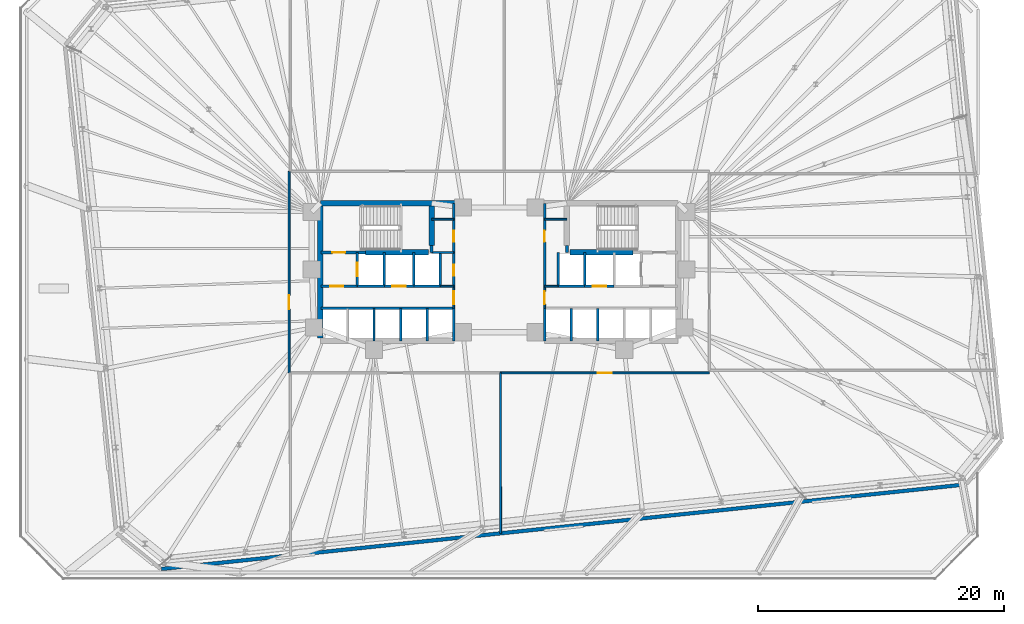
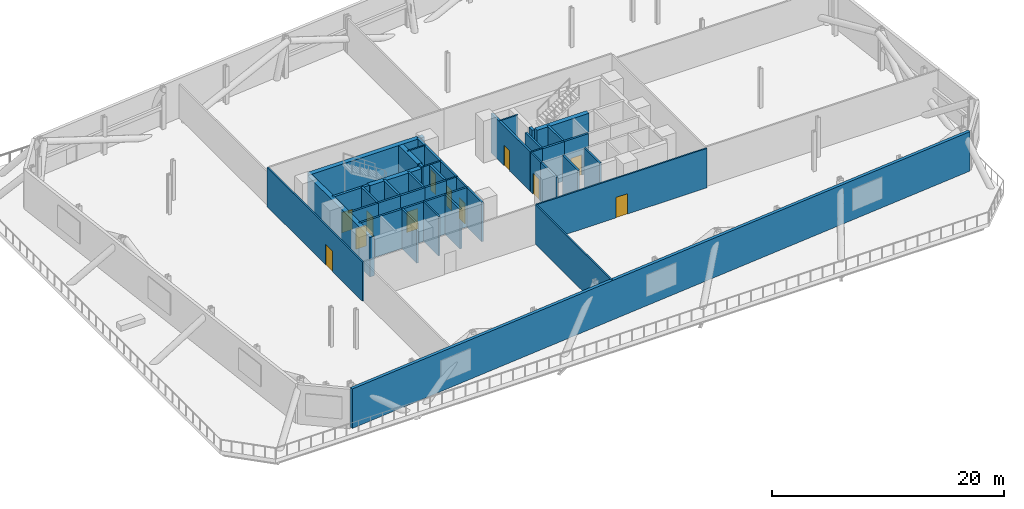
# One storey, part 14 of 17: 41 walls, 12 doors, 12 openings.
"""IFC4 building model written with IfcOpenShell, lengths in metres."""

import ifcopenshell
import ifcopenshell.guid

model = None  # the IFC model being written
_history = None  # IfcOwnerHistory: only IFC2X3 demands one
_inside = {}  # id of a spatial element -> (the spatial element, [elements in it])
_under = {}  # id of a project, library or spatial element -> (it, [spatial elements below it])
_declared = {}  # id of a project -> (the project, [libraries it declares])
_typed = {}  # id of a type object -> (the type object, [elements of that type])
_made_of = {}  # id of a material, layer set ... -> (it, [elements and type objects made of it])


def new_model(schema):
    """Start an empty IFC model of exactly this schema.

    Asked for "IFC4X3", IfcOpenShell would pick the latest addendum, in which some entities
    have other attributes; the version numbers below select the first issue.
    IFC2X3 requires an IfcOwnerHistory on every rooted entity: one is made here for all.
    """
    global model, _history
    if schema == "IFC4X3":
        model = ifcopenshell.file(schema_version=(4, 3, 0, 0))
    else:
        model = ifcopenshell.file(schema=schema)
    _inside.clear()
    _under.clear()
    _declared.clear()
    _typed.clear()
    _made_of.clear()
    _history = None
    if model.schema == "IFC2X3":
        org = make("IfcOrganization", Name="unknown")
        user = make(
            "IfcPersonAndOrganization",
            ThePerson=make("IfcPerson", FamilyName="unknown"),
            TheOrganization=org,
        )
        app = make(
            "IfcApplication",
            ApplicationDeveloper=org,
            Version="unknown",
            ApplicationFullName="unknown",
            ApplicationIdentifier="unknown",
        )
        _history = make(
            "IfcOwnerHistory",
            OwningUser=user,
            OwningApplication=app,
            ChangeAction="ADDED",
            CreationDate=0,
        )
    return model


def make(cls, **values):
    """One entity of the class cls with the attributes given. An attribute that is None is left unset."""
    return model.create_entity(
        cls, **{name: value for name, value in values.items() if value is not None}
    )


def rooted(cls, **values):
    """An entity with a GlobalId (a new one), such as an element, a storey or a relation."""
    return make(cls, GlobalId=ifcopenshell.guid.new(), OwnerHistory=_history, **values)


def si_unit(unit_type, name, prefix=None):
    """IfcSIUnit, for example si_unit("LENGTHUNIT", "METRE", prefix="MILLI")."""
    return make("IfcSIUnit", UnitType=unit_type, Prefix=prefix, Name=name)


def assignment(units):
    """IfcUnitAssignment: the units of a project."""
    return None if units is None else make("IfcUnitAssignment", Units=units)


def point(xyz):
    """IfcCartesianPoint."""
    return None if xyz is None else make("IfcCartesianPoint", Coordinates=xyz)


def direction(xyz):
    """IfcDirection."""
    return None if xyz is None else make("IfcDirection", DirectionRatios=xyz)


def frame(location, z_axis=None, x_axis=None):
    """IfcAxis2Placement3D, a coordinate frame: its origin and axes. An axis left out is left unset."""
    return make(
        "IfcAxis2Placement3D",
        Location=point(location),
        Axis=direction(z_axis),
        RefDirection=direction(x_axis),
    )


def frame_2d(location, x_axis=None):
    """IfcAxis2Placement2D, a coordinate frame in the plane: its origin and x axis."""
    return make(
        "IfcAxis2Placement2D", Location=point(location), RefDirection=direction(x_axis)
    )


def origin():
    """The frame at (0, 0, 0) with its axes left unset."""
    return frame((0.0, 0.0, 0.0))


def place(relative_to, where):
    """IfcLocalPlacement: puts the frame where relative to a parent placement (None: the world)."""
    return make(
        "IfcLocalPlacement", PlacementRelTo=relative_to, RelativePlacement=where
    )


def context(
    kind, dimensions, precision=None, world=None, true_north=None, identifier=None
):
    """IfcGeometricRepresentationContext, for example the 3D "Model" context."""
    return make(
        "IfcGeometricRepresentationContext",
        ContextIdentifier=identifier,
        ContextType=kind,
        CoordinateSpaceDimension=dimensions,
        Precision=precision,
        WorldCoordinateSystem=world,
        TrueNorth=true_north,
    )


def subcontext(parent, identifier, kind, view, scale=None):
    """IfcGeometricRepresentationSubContext, for example "Body" below "Model"."""
    return make(
        "IfcGeometricRepresentationSubContext",
        ContextIdentifier=identifier,
        ContextType=kind,
        ParentContext=parent,
        TargetScale=scale,
        TargetView=view,
    )


def project(units=None, contexts=None):
    """IfcProject with its units and contexts."""
    return rooted(
        "IfcProject",
        Name="project",
        RepresentationContexts=contexts,
        UnitsInContext=assignment(units),
    )


def spatial(cls, under=None, at=None, **own):
    """A site, building, storey or space (cls), placed at a placement, below another one or the project."""
    s = rooted(cls, ObjectPlacement=at, **own)
    if under is not None:
        _under.setdefault(under.id(), (under, []))[1].append(s)
    return s


def profile(cls, at=None, kind="AREA", **sizes):
    """A parametric profile (cls). Its sizes go by their IFC names, for example OverallWidth=200.0."""
    return make(cls, ProfileType=kind, Position=at, **sizes)


def rectangle(**sizes):
    """IfcRectangleProfileDef."""
    return profile("IfcRectangleProfileDef", **sizes)


def extrude(swept, where, along, depth):
    """IfcExtrudedAreaSolid: the profile swept, set in the frame where, extruded along a direction by depth."""
    return make(
        "IfcExtrudedAreaSolid",
        SweptArea=swept,
        Position=where,
        ExtrudedDirection=direction(along),
        Depth=depth,
    )


def shape(context_of_items, identifier, shape_type, items):
    """IfcShapeRepresentation: the items that make up one representation, for example the "Body"."""
    return make(
        "IfcShapeRepresentation",
        ContextOfItems=context_of_items,
        RepresentationIdentifier=identifier,
        RepresentationType=shape_type,
        Items=items,
    )


def material(Name=None, Category=None):
    """IfcMaterial."""
    return make("IfcMaterial", Name=Name, Category=Category)


def layer(
    of_material, thickness, ventilated=None, Name=None, Category=None, Priority=None
):
    """IfcMaterialLayer: one layer of a wall or slab, of a material (None: an air gap)."""
    return make(
        "IfcMaterialLayer",
        Material=of_material,
        LayerThickness=thickness,
        IsVentilated=ventilated,
        Name=Name,
        Category=Category,
        Priority=Priority,
    )


def layer_set(layers, Name=None):
    """IfcMaterialLayerSet."""
    return make("IfcMaterialLayerSet", MaterialLayers=layers, LayerSetName=Name)


def made_of(thing, what):
    """Note that an element or type object is made of a material, layer set ...; save() writes the relation."""
    if what is not None:
        _made_of.setdefault(what.id(), (what, []))[1].append(thing)
    return thing


def type_object(cls, material=None, **own):
    """A type object (cls), such as IfcWallType, which elements share."""
    return made_of(rooted(cls, **own), material)


def element(
    cls,
    number,
    at=None,
    inside=None,
    cuts=None,
    type_object=None,
    material=None,
    context=None,
    identifier="Body",
    shape_type=None,
    held_by="IfcProductDefinitionShape",
    body=None,
    shapes=None,
    **own,
):
    """One element of the class cls, such as IfcWall. Its Tag is "e" and its number.

    at: its placement. inside: the storey or other place that contains it. cuts: it is an
    opening in that element (IfcRelVoidsElement). A single representation is given by context,
    identifier, shape_type and body (its items); several are given by shapes. held_by: the class
    of the entity that holds the representations. save() writes the other relations.
    """
    e = rooted(cls, Tag="e%d" % number, ObjectPlacement=at, **own)
    if body is not None:
        shapes = [shape(context, identifier, shape_type, body)]
    if shapes is not None:
        e.Representation = make(held_by, Representations=shapes)
    if inside is not None:
        _inside.setdefault(inside.id(), (inside, []))[1].append(e)
    if cuts is not None:
        rooted(
            "IfcRelVoidsElement", RelatingBuildingElement=cuts, RelatedOpeningElement=e
        )
    if type_object is not None:
        _typed.setdefault(type_object.id(), (type_object, []))[1].append(e)
    return made_of(e, material)


def fill(opening, filler):
    """IfcRelFillsElement: the door or window that sits in an opening."""
    return rooted(
        "IfcRelFillsElement",
        RelatingOpeningElement=opening,
        RelatedBuildingElement=filler,
    )


def aggregate(whole, parts):
    """IfcRelAggregates: a whole, such as a stair, and the parts it consists of."""
    return rooted("IfcRelAggregates", RelatingObject=whole, RelatedObjects=parts)


def save(model, path):
    """Write the relations noted so far, then the file.

    IfcRelAggregates (storeys below a building ...), IfcRelContainedInSpatialStructure (elements
    in a storey), IfcRelDefinesByType, IfcRelAssociatesMaterial and IfcRelDeclares: one each for
    every whole, place, type object, material and project.
    """
    for whole, parts in _under.values():
        aggregate(whole, parts)
    for where, things in _inside.values():
        rooted(
            "IfcRelContainedInSpatialStructure",
            RelatedElements=things,
            RelatingStructure=where,
        )
    for kind, things in _typed.values():
        rooted("IfcRelDefinesByType", RelatedObjects=things, RelatingType=kind)
    for what, things in _made_of.values():
        rooted("IfcRelAssociatesMaterial", RelatedObjects=things, RelatingMaterial=what)
    for by, libraries in _declared.values():
        rooted("IfcRelDeclares", RelatingContext=by, RelatedDefinitions=libraries)
    model.write(path)


model = new_model("IFC4")

# Units and contexts
model_context = context("Model", 3, precision=1e-05, world=origin(), true_north=direction((0.0, 1.0)))
body_context = subcontext(model_context, "Body", "Model", "MODEL_VIEW")
ifc_project = project(units=[si_unit("LENGTHUNIT", "METRE"), si_unit("AREAUNIT", "SQUARE_METRE"), si_unit("VOLUMEUNIT", "CUBIC_METRE"), si_unit("PLANEANGLEUNIT", "RADIAN"), si_unit("MASSUNIT", "GRAM", prefix="KILO")], contexts=[model_context])

# Site, building, storey
site_placement = place(None, origin())
site = spatial("IfcSite", under=ifc_project, at=site_placement, CompositionType="ELEMENT")
building_placement = place(site_placement, origin())
building = spatial("IfcBuilding", under=site, at=building_placement, Name="Menara Jurai Vektor", CompositionType="ELEMENT")
storey_placement = place(building_placement, frame((0.0, 0.0, 78.800048828125)))
storey = spatial("IfcBuildingStorey", under=building, at=storey_placement, Name="L19", CompositionType="ELEMENT", Elevation=78.800048828125)

# Wall
ifc_material_1 = material(Name="Insulated Pale Aluminium Spandrel Wall", Category="aluminium")
ifc_layer_1 = layer(ifc_material_1, 0.300048828125)
ifc_layer_set_1 = layer_set([ifc_layer_1], Name="Insulated Pale Aluminium Spandrel Wall")
wall_type_1 = type_object("IfcWallType", Name="ENV-WALL-EXT300", PredefinedType="STANDARD", material=ifc_layer_set_1)
wall_1_placement = place(storey_placement, frame((-27.494384765625, -24.162109375, 0.0), z_axis=(0.0, 0.0, 1.0), x_axis=(0.99452206833, 0.104526817631, 0.0)))
element("IfcWall", 1, at=wall_1_placement, inside=storey, type_object=wall_type_1, Name="Plant Floor Enclosure Wall L19-01", PredefinedType="STANDARD", context=body_context, shape_type="SweptSolid", body=[
    extrude(rectangle(XDim=65.81005859375, YDim=0.300048828125, at=frame_2d((32.905029296875, 0.0))), origin(), (0.0, 0.0, 1.0), 4.14990234375),
])

# Wall, opening, door
ifc_material_2 = material(Name="Concrete C40/50", Category="concrete")
ifc_layer_2 = layer(ifc_material_2, 0.25)
ifc_layer_set_2 = layer_set([ifc_layer_2], Name="Concrete C40/50")
wall_type_2 = type_object("IfcWallType", Name="INT-WALL-CORE-250", PredefinedType="STANDARD", material=ifc_layer_set_2)
wall_2_placement = place(storey_placement, frame((-14.5, 1.60009765625, 0.0), z_axis=(0.0, 0.0, 1.0), x_axis=(1.0, 0.0, 0.0)))
wall_2 = element("IfcWall", 2, at=wall_2_placement, inside=storey, type_object=wall_type_2, Name="Interior Wall IW-250 L19", PredefinedType="STANDARD", context=body_context, shape_type="SweptSolid", body=[
    extrude(rectangle(XDim=3.60009765625, YDim=0.25, at=frame_2d((1.800048828125, 0.0))), origin(), (0.0, 0.0, 1.0), 4.14990234375),
])
opening_1_placement = place(wall_2_placement, frame((0.919921875, 0.0, 0.0)))
opening_1 = element("IfcOpeningElement", 3, at=opening_1_placement, cuts=wall_2, Name="Opening D-L19-ST1", PredefinedType="OPENING", context=body_context, shape_type="SweptSolid", body=[
    extrude(rectangle(XDim=1.050048828125, YDim=2.14990234375, at=frame_2d((0.52490234375, 1.074951171875))), frame((0.0, 0.135009765625, 0.0), z_axis=(0.0, -1.0, 0.0), x_axis=(1.0, 0.0, 0.0)), (0.0, 0.0, 1.0), 0.27001953125),
])
ifc_material_3 = material(Name="Fire-Rated Steel Door", Category="steel")
door_type_1 = type_object("IfcDoorType", Name="DR-STAIR-1050", OperationType="NOTDEFINED", PredefinedType="DOOR", material=ifc_material_3)
door_1_placement = place(opening_1_placement, origin())
door_1 = element("IfcDoor", 4, at=door_1_placement, inside=storey, type_object=door_type_1, Name="Exit Stair ST1 Door L19", OperationType="SINGLE_SWING_RIGHT", OverallHeight=2.14990234375, OverallWidth=1.050048828125, PredefinedType="DOOR", context=body_context, shape_type="SweptSolid", body=[
    extrude(rectangle(XDim=1.050048828125, YDim=2.14990234375, at=frame_2d((0.52490234375, 1.074951171875))), frame((0.0, 0.02490234375, 0.0), z_axis=(0.0, -1.0, 0.0), x_axis=(1.0, 0.0, 0.0)), (0.0, 0.0, 1.0), 0.050048828125),
])
fill(opening_1, door_1)

# Wall
wall_3_placement = place(storey_placement, frame((-5.5, 1.60009765625, 0.0), z_axis=(0.0, 0.0, 1.0), x_axis=(0.0, 1.0, 0.0)))
element("IfcWall", 5, at=wall_3_placement, inside=storey, type_object=wall_type_2, Name="Interior Wall IW-250 L19", PredefinedType="STANDARD", context=body_context, shape_type="SweptSolid", body=[
    extrude(rectangle(XDim=0.5498046875, YDim=0.25, at=frame_2d((0.27490234375, 0.0))), origin(), (0.0, 0.0, 1.0), 4.14990234375),
])

# Wall, opening, door
wall_4_placement = place(storey_placement, frame((-11.550048828125, -1.14990234375, 0.0), z_axis=(0.0, 0.0, 1.0), x_axis=(0.0, 1.0, 0.0)))
wall_4 = element("IfcWall", 6, at=wall_4_placement, inside=storey, type_object=wall_type_2, Name="Interior Wall IW-250 L19", PredefinedType="STANDARD", context=body_context, shape_type="SweptSolid", body=[
    extrude(rectangle(XDim=2.75, YDim=0.199951171875, at=frame_2d((1.375, 0.0))), origin(), (0.0, 0.0, 1.0), 4.14990234375),
])
opening_2_placement = place(wall_4_placement, frame((0.824951171875, 0.0, 0.0)))
opening_2 = element("IfcOpeningElement", 7, at=opening_2_placement, cuts=wall_4, Name="Opening LD-L19-FL1", PredefinedType="OPENING", context=body_context, shape_type="SweptSolid", body=[
    extrude(rectangle(XDim=1.10009765625, YDim=2.14990234375, at=frame_2d((0.550048828125, 1.074951171875))), frame((0.0, 0.10986328125, 0.0), z_axis=(0.0, -1.0, 0.0), x_axis=(1.0, 0.0, 0.0)), (0.0, 0.0, 1.0), 0.219970703125),
])
ifc_material_4 = material(Name="Stainless Steel Sliding Lift Landing Door", Category="steel")
door_type_2 = type_object("IfcDoorType", Name="DR-LIFT-FIRE-1100", OperationType="NOTDEFINED", PredefinedType="DOOR", material=ifc_material_4)
door_2_placement = place(opening_2_placement, origin())
door_2 = element("IfcDoor", 8, at=door_2_placement, inside=storey, type_object=door_type_2, Name="Lift Landing Door FL1 L19", OperationType="SLIDING_TO_RIGHT", OverallHeight=2.14990234375, OverallWidth=1.10009765625, PredefinedType="DOOR", context=body_context, shape_type="SweptSolid", body=[
    extrude(rectangle(XDim=1.10009765625, YDim=2.14990234375, at=frame_2d((0.550048828125, 1.074951171875))), frame((0.0, 0.02490234375, 0.0), z_axis=(0.0, -1.0, 0.0), x_axis=(1.0, 0.0, 0.0)), (0.0, 0.0, 1.0), 0.050048828125),
])
fill(opening_2, door_2)

# Wall
wall_5_placement = place(storey_placement, frame((-9.35009765625, -1.14990234375, 0.0), z_axis=(0.0, 0.0, 1.0), x_axis=(0.0, 1.0, 0.0)))
element("IfcWall", 9, at=wall_5_placement, inside=storey, type_object=wall_type_2, Name="Interior Wall IW-250 L19", PredefinedType="STANDARD", context=body_context, shape_type="SweptSolid", body=[
    extrude(rectangle(XDim=2.75, YDim=0.199951171875, at=frame_2d((1.375, 0.0))), origin(), (0.0, 0.0, 1.0), 4.14990234375),
])

# Wall, opening, door
wall_6_placement = place(storey_placement, frame((-14.5, -1.14990234375, 0.0), z_axis=(0.0, 0.0, 1.0), x_axis=(1.0, 0.0, 0.0)))
wall_6 = element("IfcWall", 10, at=wall_6_placement, inside=storey, type_object=wall_type_2, Name="Interior Wall IW-250 L19", PredefinedType="STANDARD", context=body_context, shape_type="SweptSolid", body=[
    extrude(rectangle(XDim=2.949951171875, YDim=0.199951171875, at=frame_2d((1.47509765625, 0.0))), origin(), (0.0, 0.0, 1.0), 4.14990234375),
])
opening_3_placement = place(wall_6_placement, frame((0.75, 0.0, 0.0)))
opening_3 = element("IfcOpeningElement", 11, at=opening_3_placement, cuts=wall_6, Name="Opening D-L19-FFW", PredefinedType="OPENING", context=body_context, shape_type="SweptSolid", body=[
    extrude(rectangle(XDim=1.050048828125, YDim=2.179931640625, at=frame_2d((0.52490234375, 1.08984375))), frame((0.0, 0.10986328125, 0.0), z_axis=(0.0, -1.0, 0.0), x_axis=(1.0, 0.0, 0.0)), (0.0, 0.0, 1.0), 0.219970703125),
])
ifc_material_5 = material(Name="Fire-Rated Timber Door", Category="wood")
door_type_3 = type_object("IfcDoorType", Name="DR-LOBBY-1050", OperationType="NOTDEFINED", PredefinedType="DOOR", material=ifc_material_5)
door_3_placement = place(opening_3_placement, origin())
door_3 = element("IfcDoor", 12, at=door_3_placement, inside=storey, type_object=door_type_3, Name="Fire Lift Lobby Door W L19", OperationType="SINGLE_SWING_RIGHT", OverallHeight=2.179931640625, OverallWidth=1.050048828125, PredefinedType="DOOR", context=body_context, shape_type="SweptSolid", body=[
    extrude(rectangle(XDim=1.050048828125, YDim=2.179931640625, at=frame_2d((0.52490234375, 1.08984375))), frame((0.0, 0.02490234375, 0.0), z_axis=(0.0, -1.0, 0.0), x_axis=(1.0, 0.0, 0.0)), (0.0, 0.0, 1.0), 0.050048828125),
])
fill(opening_3, door_3)

# Walls
wall_7_placement = place(storey_placement, frame((-11.550048828125, -1.14990234375, 0.0), z_axis=(0.0, 0.0, 1.0), x_axis=(1.0, 0.0, 0.0)))
element("IfcWall", 13, at=wall_7_placement, inside=storey, type_object=wall_type_2, Name="Interior Wall IW-250 L19", PredefinedType="STANDARD", context=body_context, shape_type="SweptSolid", body=[
    extrude(rectangle(XDim=2.199951171875, YDim=0.199951171875, at=frame_2d((1.10009765625, 0.0))), origin(), (0.0, 0.0, 1.0), 4.14990234375),
])
wall_8_placement = place(storey_placement, frame((5.5, 1.60009765625, 0.0), z_axis=(0.0, 0.0, 1.0), x_axis=(0.0, 1.0, 0.0)))
element("IfcWall", 14, at=wall_8_placement, inside=storey, type_object=wall_type_2, Name="Interior Wall IW-250 L19", PredefinedType="STANDARD", context=body_context, shape_type="SweptSolid", body=[
    extrude(rectangle(XDim=0.5498046875, YDim=0.25, at=frame_2d((0.27490234375, 0.0))), origin(), (0.0, 0.0, 1.0), 4.14990234375),
])

# Wall, opening, door
ifc_material_6 = material(Name="Gypsum Fireboard Partition", Category="gypsum")
ifc_layer_3 = layer(ifc_material_6, 0.14990234375)
ifc_layer_set_3 = layer_set([ifc_layer_3], Name="Gypsum Fireboard Partition")
wall_type_3 = type_object("IfcWallType", Name="INT-WALL-CORR-150", PredefinedType="PARTITIONING", material=ifc_layer_set_3)
wall_9_placement = place(storey_placement, frame((-3.699951171875, -2.949951171875, 0.0), z_axis=(0.0, 0.0, 1.0), x_axis=(0.0, 1.0, 0.0)))
wall_9 = element("IfcWall", 15, at=wall_9_placement, inside=storey, type_object=wall_type_3, Name="Interior Wall IW-150 L19", PredefinedType="PARTITIONING", context=body_context, shape_type="SweptSolid", body=[
    extrude(rectangle(XDim=1.800048828125, YDim=0.14990234375, at=frame_2d((0.89990234375, 0.0))), origin(), (0.0, 0.0, 1.0), 4.14990234375),
])
opening_4_placement = place(wall_9_placement, frame((0.35009765625, 0.0, 0.0)))
opening_4 = element("IfcOpeningElement", 16, at=opening_4_placement, cuts=wall_9, Name="Opening D-L19-LLW", PredefinedType="OPENING", context=body_context, shape_type="SweptSolid", body=[
    extrude(rectangle(XDim=1.050048828125, YDim=2.179931640625, at=frame_2d((0.52490234375, 1.08984375))), frame((0.0, 0.0849609375, 0.0), z_axis=(0.0, -1.0, 0.0), x_axis=(1.0, 0.0, 0.0)), (0.0, 0.0, 1.0), 0.169921875),
])
door_4_placement = place(opening_4_placement, origin())
door_4 = element("IfcDoor", 17, at=door_4_placement, inside=storey, type_object=door_type_3, Name="Lift Lobby Corridor Door W L19", OperationType="SINGLE_SWING_LEFT", OverallHeight=2.179931640625, OverallWidth=1.050048828125, PredefinedType="DOOR", context=body_context, shape_type="SweptSolid", body=[
    extrude(rectangle(XDim=1.050048828125, YDim=2.179931640625, at=frame_2d((0.52490234375, 1.08984375))), frame((0.0, 0.02490234375, 0.0), z_axis=(0.0, -1.0, 0.0), x_axis=(1.0, 0.0, 0.0)), (0.0, 0.0, 1.0), 0.050048828125),
])
fill(opening_4, door_4)

# Wall
wall_10_placement = place(storey_placement, frame((-4.7900390625, -1.14990234375, 0.0), z_axis=(0.0, 0.0, 1.0), x_axis=(1.0, 0.0, 0.0)))
element("IfcWall", 18, at=wall_10_placement, inside=storey, type_object=wall_type_3, Name="Interior Wall IW-150 L19", PredefinedType="PARTITIONING", context=body_context, shape_type="SweptSolid", body=[
    extrude(rectangle(XDim=1.090087890625, YDim=0.14990234375, at=frame_2d((0.544921875, 0.0))), origin(), (0.0, 0.0, 1.0), 4.14990234375),
])

# Wall, opening, door
wall_11_placement = place(storey_placement, frame((3.699951171875, -2.949951171875, 0.0), z_axis=(0.0, 0.0, 1.0), x_axis=(0.0, 1.0, 0.0)))
wall_11 = element("IfcWall", 19, at=wall_11_placement, inside=storey, type_object=wall_type_3, Name="Interior Wall IW-150 L19", PredefinedType="PARTITIONING", context=body_context, shape_type="SweptSolid", body=[
    extrude(rectangle(XDim=1.800048828125, YDim=0.14990234375, at=frame_2d((0.89990234375, 0.0))), origin(), (0.0, 0.0, 1.0), 4.14990234375),
])
opening_5_placement = place(wall_11_placement, frame((0.35009765625, 0.0, 0.0)))
opening_5 = element("IfcOpeningElement", 20, at=opening_5_placement, cuts=wall_11, Name="Opening D-L19-LLE", PredefinedType="OPENING", context=body_context, shape_type="SweptSolid", body=[
    extrude(rectangle(XDim=1.050048828125, YDim=2.179931640625, at=frame_2d((0.52490234375, 1.08984375))), frame((0.0, 0.0849609375, 0.0), z_axis=(0.0, -1.0, 0.0), x_axis=(1.0, 0.0, 0.0)), (0.0, 0.0, 1.0), 0.169921875),
])
door_5_placement = place(opening_5_placement, frame((1.050048828125, 0.0, 0.0), z_axis=(0.0, 0.0, 1.0), x_axis=(-1.0, 0.0, 0.0)))
door_5 = element("IfcDoor", 21, at=door_5_placement, inside=storey, type_object=door_type_3, Name="Lift Lobby Corridor Door E L19", OperationType="SINGLE_SWING_RIGHT", OverallHeight=2.179931640625, OverallWidth=1.050048828125, PredefinedType="DOOR", context=body_context, shape_type="SweptSolid", body=[
    extrude(rectangle(XDim=1.050048828125, YDim=2.179931640625, at=frame_2d((0.52490234375, 1.08984375))), frame((0.0, 0.02490234375, 0.0), z_axis=(0.0, -1.0, 0.0), x_axis=(1.0, 0.0, 0.0)), (0.0, 0.0, 1.0), 0.050048828125),
])
fill(opening_5, door_5)

# Walls
wall_12_placement = place(storey_placement, frame((3.699951171875, -1.14990234375, 0.0), z_axis=(0.0, 0.0, 1.0), x_axis=(1.0, 0.0, 0.0)))
element("IfcWall", 22, at=wall_12_placement, inside=storey, type_object=wall_type_3, Name="Interior Wall IW-150 L19", PredefinedType="PARTITIONING", context=body_context, shape_type="SweptSolid", body=[
    extrude(rectangle(XDim=1.090087890625, YDim=0.14990234375, at=frame_2d((0.544921875, 0.0))), origin(), (0.0, 0.0, 1.0), 4.14990234375),
])
for number, where, z_axis, x_axis, name in (
    (23, (-5.5, 4.300048828125, 0.0), (0.0, 0.0, 1.0), (1.0, 0.0, 0.0), "Interior Wall IW-150 L19"),
    (24, (-5.5, 1.60009765625, 0.0), (0.0, 0.0, 1.0), (1.0, 0.0, 0.0), "Interior Wall IW-150 L19"),
    (25, (3.699951171875, 4.300048828125, 0.0), (0.0, 0.0, 1.0), (1.0, 0.0, 0.0), "Interior Wall IW-150 L19"),
):
    element("IfcWall", number, at=place(storey_placement, frame(where, z_axis=z_axis, x_axis=x_axis)), inside=storey, type_object=wall_type_3, Name=name, PredefinedType="PARTITIONING", context=body_context, shape_type="SweptSolid", body=[
        extrude(rectangle(XDim=1.800048828125, YDim=0.14990234375, at=frame_2d((0.89990234375, 0.0))), origin(), (0.0, 0.0, 1.0), 4.14990234375),
    ])

# Wall, opening, door
wall_13_placement = place(storey_placement, frame((0.10009765625, -8.199951171875, 0.0), z_axis=(0.0, 0.0, 1.0), x_axis=(1.0, 0.0, 0.0)))
wall_13 = element("IfcWall", 26, at=wall_13_placement, inside=storey, type_object=wall_type_3, Name="Interior Wall IW-150 L19", PredefinedType="PARTITIONING", context=body_context, shape_type="SweptSolid", body=[
    extrude(rectangle(XDim=17.0, YDim=0.14990234375, at=frame_2d((8.5, 0.0))), origin(), (0.0, 0.0, 1.0), 4.14990234375),
])
opening_6_placement = place(wall_13_placement, frame((7.925048828125, 0.0, 0.0)))
opening_6 = element("IfcOpeningElement", 27, at=opening_6_placement, cuts=wall_13, Name="Opening D19-07", PredefinedType="OPENING", context=body_context, shape_type="SweptSolid", body=[
    extrude(rectangle(XDim=1.14990234375, YDim=2.14990234375, at=frame_2d((0.574951171875, 1.074951171875))), frame((0.0, 0.0849609375, 0.0), z_axis=(0.0, -1.0, 0.0), x_axis=(1.0, 0.0, 0.0)), (0.0, 0.0, 1.0), 0.169921875),
])
ifc_material_7 = material(Name="Fire-Rated Steel Plant Door", Category="steel")
door_type_4 = type_object("IfcDoorType", Name="DR-PLANT-1150", OperationType="NOTDEFINED", PredefinedType="DOOR", material=ifc_material_7)
door_6_placement = place(opening_6_placement, origin())
door_6 = element("IfcDoor", 28, at=door_6_placement, inside=storey, type_object=door_type_4, Name="Interior Door D19-07", OperationType="SINGLE_SWING_RIGHT", OverallHeight=2.14990234375, OverallWidth=1.14990234375, PredefinedType="DOOR", context=body_context, shape_type="SweptSolid", body=[
    extrude(rectangle(XDim=1.14990234375, YDim=2.14990234375, at=frame_2d((0.574951171875, 1.074951171875))), frame((0.0, 0.02490234375, 0.0), z_axis=(0.0, -1.0, 0.0), x_axis=(1.0, 0.0, 0.0)), (0.0, 0.0, 1.0), 0.050048828125),
])
fill(opening_6, door_6)

wall_14_placement = place(storey_placement, frame((-17.10009765625, -8.199951171875, 0.0), z_axis=(0.0, 0.0, 1.0), x_axis=(0.0, 1.0, 0.0)))
wall_14 = element("IfcWall", 29, at=wall_14_placement, inside=storey, type_object=wall_type_3, Name="Interior Wall IW-150 L19", PredefinedType="PARTITIONING", context=body_context, shape_type="SweptSolid", body=[
    extrude(rectangle(XDim=16.39990234375, YDim=0.14990234375, at=frame_2d((8.199951171875, 0.0))), origin(), (0.0, 0.0, 1.0), 4.14990234375),
])
opening_7_placement = place(wall_14_placement, frame((5.1650390625, 0.0, 0.0)))
opening_7 = element("IfcOpeningElement", 30, at=opening_7_placement, cuts=wall_14, Name="Opening D19-08", PredefinedType="OPENING", context=body_context, shape_type="SweptSolid", body=[
    extrude(rectangle(XDim=1.14990234375, YDim=2.14990234375, at=frame_2d((0.574951171875, 1.074951171875))), frame((0.0, 0.0849609375, 0.0), z_axis=(0.0, -1.0, 0.0), x_axis=(1.0, 0.0, 0.0)), (0.0, 0.0, 1.0), 0.169921875),
])
door_7_placement = place(opening_7_placement, origin())
door_7 = element("IfcDoor", 31, at=door_7_placement, inside=storey, type_object=door_type_4, Name="Interior Door D19-08", OperationType="SINGLE_SWING_LEFT", OverallHeight=2.14990234375, OverallWidth=1.14990234375, PredefinedType="DOOR", context=body_context, shape_type="SweptSolid", body=[
    extrude(rectangle(XDim=1.14990234375, YDim=2.14990234375, at=frame_2d((0.574951171875, 1.074951171875))), frame((0.0, 0.02490234375, 0.0), z_axis=(0.0, -1.0, 0.0), x_axis=(1.0, 0.0, 0.0)), (0.0, 0.0, 1.0), 0.050048828125),
])
fill(opening_7, door_7)

# Wall
wall_15_placement = place(storey_placement, frame((0.11572265625, -21.26025390625, 0.0), z_axis=(0.0, 0.0, 1.0), x_axis=(-0.001196372637, 0.999999284346, 0.0)))
element("IfcWall", 32, at=wall_15_placement, inside=storey, type_object=wall_type_3, Name="Interior Wall IW-150 L19", PredefinedType="PARTITIONING", context=body_context, shape_type="SweptSolid", body=[
    extrude(rectangle(XDim=13.060302734375, YDim=0.14990234375, at=frame_2d((6.5302734375, 0.0))), origin(), (0.0, 0.0, 1.0), 4.14990234375),
])

# Wall, openings, doors
ifc_layer_4 = layer(ifc_material_2, 0.199951171875)
ifc_layer_set_4 = layer_set([ifc_layer_4], Name="Concrete C40/50")
wall_type_4 = type_object("IfcWallType", Name="INT-WALL-SHAFT-200", PredefinedType="STANDARD", material=ifc_layer_set_4)
wall_16_placement = place(storey_placement, frame((-3.699951171875, -1.14990234375, 0.0), z_axis=(0.0, 0.0, 1.0), x_axis=(0.0, 1.0, 0.0)))
wall_16 = element("IfcWall", 33, at=wall_16_placement, inside=storey, type_object=wall_type_4, Name="Interior Wall IW-200 L19", PredefinedType="STANDARD", context=body_context, shape_type="SweptSolid", body=[
    extrude(rectangle(XDim=6.75, YDim=0.199951171875, at=frame_2d((3.375, 0.0))), origin(), (0.0, 0.0, 1.0), 4.14990234375),
])
opening_8_placement = place(wall_16_placement, frame((3.60009765625, 0.0, 0.0)))
opening_8 = element("IfcOpeningElement", 34, at=opening_8_placement, cuts=wall_16, Name="Opening D19-01", PredefinedType="OPENING", context=body_context, shape_type="SweptSolid", body=[
    extrude(rectangle(XDim=0.919921875, YDim=2.14990234375, at=frame_2d((0.4599609375, 1.074951171875))), frame((0.0, 0.10986328125, 0.0), z_axis=(0.0, -1.0, 0.0), x_axis=(1.0, 0.0, 0.0)), (0.0, 0.0, 1.0), 0.219970703125),
])
opening_9_placement = place(wall_16_placement, frame((0.85009765625, 0.0, 0.0)))
opening_9 = element("IfcOpeningElement", 35, at=opening_9_placement, cuts=wall_16, Name="Opening D19-02", PredefinedType="OPENING", context=body_context, shape_type="SweptSolid", body=[
    extrude(rectangle(XDim=0.89990234375, YDim=2.14990234375, at=frame_2d((0.449951171875, 1.074951171875))), frame((0.0, 0.10986328125, 0.0), z_axis=(0.0, -1.0, 0.0), x_axis=(1.0, 0.0, 0.0)), (0.0, 0.0, 1.0), 0.219970703125),
])
ifc_material_8 = material(Name="Solid Core Timber Fire Door", Category="wood")
door_type_5 = type_object("IfcDoorType", Name="DR-ENTRY-950", OperationType="NOTDEFINED", PredefinedType="DOOR", material=ifc_material_8)
door_8_placement = place(opening_8_placement, origin())
door_8 = element("IfcDoor", 36, at=door_8_placement, inside=storey, type_object=door_type_5, Name="Interior Door D19-01", OperationType="SINGLE_SWING_LEFT", OverallHeight=2.14990234375, OverallWidth=0.919921875, PredefinedType="DOOR", context=body_context, shape_type="SweptSolid", body=[
    extrude(rectangle(XDim=0.919921875, YDim=2.14990234375, at=frame_2d((0.4599609375, 1.074951171875))), frame((0.0, 0.02490234375, 0.0), z_axis=(0.0, -1.0, 0.0), x_axis=(1.0, 0.0, 0.0)), (0.0, 0.0, 1.0), 0.050048828125),
])
fill(opening_8, door_8)
door_9_placement = place(opening_9_placement, origin())
door_9 = element("IfcDoor", 37, at=door_9_placement, inside=storey, type_object=door_type_5, Name="Interior Door D19-02", OperationType="SINGLE_SWING_LEFT", OverallHeight=2.14990234375, OverallWidth=0.89990234375, PredefinedType="DOOR", context=body_context, shape_type="SweptSolid", body=[
    extrude(rectangle(XDim=0.89990234375, YDim=2.14990234375, at=frame_2d((0.449951171875, 1.074951171875))), frame((0.0, 0.02490234375, 0.0), z_axis=(0.0, -1.0, 0.0), x_axis=(1.0, 0.0, 0.0)), (0.0, 0.0, 1.0), 0.050048828125),
])
fill(opening_9, door_9)

# Walls
wall_17_placement = place(storey_placement, frame((-3.699951171875, -5.60009765625, 0.0), z_axis=(0.0, 0.0, 1.0), x_axis=(0.0, 1.0, 0.0)))
element("IfcWall", 38, at=wall_17_placement, inside=storey, type_object=wall_type_4, Name="Interior Wall IW-200 L19", PredefinedType="STANDARD", context=body_context, shape_type="SweptSolid", body=[
    extrude(rectangle(XDim=2.650146484375, YDim=0.199951171875, at=frame_2d((1.3251953125, 0.0))), origin(), (0.0, 0.0, 1.0), 4.14990234375),
])
wall_18_placement = place(storey_placement, frame((-6.949951171875, -1.14990234375, 0.0), z_axis=(0.0, 0.0, 1.0), x_axis=(0.0, 1.0, 0.0)))
element("IfcWall", 39, at=wall_18_placement, inside=storey, type_object=wall_type_4, Name="Interior Wall IW-200 L19", PredefinedType="STANDARD", context=body_context, shape_type="SweptSolid", body=[
    extrude(rectangle(XDim=2.75, YDim=0.199951171875, at=frame_2d((1.375, 0.0))), origin(), (0.0, 0.0, 1.0), 4.14990234375),
])

# Wall, opening, door
wall_19_placement = place(storey_placement, frame((-9.35009765625, -1.14990234375, 0.0), z_axis=(0.0, 0.0, 1.0), x_axis=(1.0, 0.0, 0.0)))
wall_19 = element("IfcWall", 40, at=wall_19_placement, inside=storey, type_object=wall_type_4, Name="Interior Wall IW-200 L19", PredefinedType="STANDARD", context=body_context, shape_type="SweptSolid", body=[
    extrude(rectangle(XDim=2.400146484375, YDim=0.199951171875, at=frame_2d((1.2001953125, 0.0))), origin(), (0.0, 0.0, 1.0), 4.14990234375),
])
opening_10_placement = place(wall_19_placement, frame((0.64990234375, 0.0, 0.0)))
opening_10 = element("IfcOpeningElement", 41, at=opening_10_placement, cuts=wall_19, Name="Opening LD-L19-SVL1", PredefinedType="OPENING", context=body_context, shape_type="SweptSolid", body=[
    extrude(rectangle(XDim=1.10009765625, YDim=2.14990234375, at=frame_2d((0.550048828125, 1.074951171875))), frame((0.0, 0.10986328125, 0.0), z_axis=(0.0, -1.0, 0.0), x_axis=(1.0, 0.0, 0.0)), (0.0, 0.0, 1.0), 0.219970703125),
])
ifc_material_9 = material(Name="Anodised Stainless Sliding Lift Landing Door", Category="steel")
door_type_6 = type_object("IfcDoorType", Name="DR-LIFT-PASS-1100", OperationType="NOTDEFINED", PredefinedType="DOOR", material=ifc_material_9)
door_10_placement = place(opening_10_placement, origin())
door_10 = element("IfcDoor", 42, at=door_10_placement, inside=storey, type_object=door_type_6, Name="Lift Landing Door SVL1 L19", OperationType="SLIDING_TO_RIGHT", OverallHeight=2.14990234375, OverallWidth=1.10009765625, PredefinedType="DOOR", context=body_context, shape_type="SweptSolid", body=[
    extrude(rectangle(XDim=1.10009765625, YDim=2.14990234375, at=frame_2d((0.550048828125, 1.074951171875))), frame((0.0, 0.02490234375, 0.0), z_axis=(0.0, -1.0, 0.0), x_axis=(1.0, 0.0, 0.0)), (0.0, 0.0, 1.0), 0.050048828125),
])
fill(opening_10, door_10)

# Walls
wall_20_placement = place(storey_placement, frame((-4.7900390625, -1.14990234375, 0.0), z_axis=(0.0, 0.0, 1.0), x_axis=(0.0, 1.0, 0.0)))
element("IfcWall", 43, at=wall_20_placement, inside=storey, type_object=wall_type_4, Name="Interior Wall IW-200 L19", PredefinedType="STANDARD", context=body_context, shape_type="SweptSolid", body=[
    extrude(rectangle(XDim=2.75, YDim=0.199951171875, at=frame_2d((1.375, 0.0))), origin(), (0.0, 0.0, 1.0), 4.14990234375),
])
wall_21_placement = place(storey_placement, frame((-6.949951171875, -1.14990234375, 0.0), z_axis=(0.0, 0.0, 1.0), x_axis=(1.0, 0.0, 0.0)))
element("IfcWall", 44, at=wall_21_placement, inside=storey, type_object=wall_type_4, Name="Interior Wall IW-200 L19", PredefinedType="STANDARD", context=body_context, shape_type="SweptSolid", body=[
    extrude(rectangle(XDim=2.159912109375, YDim=0.199951171875, at=frame_2d((1.080078125, 0.0))), origin(), (0.0, 0.0, 1.0), 4.14990234375),
])
wall_22_placement = place(storey_placement, frame((-14.5, -2.949951171875, 0.0), z_axis=(0.0, 0.0, 1.0), x_axis=(1.0, 0.0, 0.0)))
element("IfcWall", 45, at=wall_22_placement, inside=storey, type_object=wall_type_4, Name="Interior Wall IW-200 L19", PredefinedType="STANDARD", context=body_context, shape_type="SweptSolid", body=[
    extrude(rectangle(XDim=10.800048828125, YDim=0.199951171875, at=frame_2d((5.39990234375, 0.0))), origin(), (0.0, 0.0, 1.0), 4.14990234375),
])
wall_23_placement = place(storey_placement, frame((-5.860107421875, -5.60009765625, 0.0), z_axis=(0.0, 0.0, 1.0), x_axis=(0.0, 1.0, 0.0)))
element("IfcWall", 46, at=wall_23_placement, inside=storey, type_object=wall_type_4, Name="Interior Wall IW-200 L19", PredefinedType="STANDARD", context=body_context, shape_type="SweptSolid", body=[
    extrude(rectangle(XDim=2.650146484375, YDim=0.199951171875, at=frame_2d((1.3251953125, 0.0))), origin(), (0.0, 0.0, 1.0), 4.14990234375),
])
for number, where, z_axis, x_axis, name in (
    (47, (-10.179931640625, -5.60009765625, 0.0), (0.0, 0.0, 1.0), (0.0, 1.0, 0.0), "Interior Wall IW-200 L19"),
    (48, (-8.02001953125, -5.60009765625, 0.0), (0.0, 0.0, 1.0), (0.0, 1.0, 0.0), "Interior Wall IW-200 L19"),
):
    element("IfcWall", number, at=place(storey_placement, frame(where, z_axis=z_axis, x_axis=x_axis)), inside=storey, type_object=wall_type_4, Name=name, PredefinedType="STANDARD", context=body_context, shape_type="SweptSolid", body=[
        extrude(rectangle(XDim=2.650146484375, YDim=0.179931640625, at=frame_2d((1.3251953125, 0.0))), origin(), (0.0, 0.0, 1.0), 4.14990234375),
    ])

# Wall, opening, door
wall_24_placement = place(storey_placement, frame((3.699951171875, -1.14990234375, 0.0), z_axis=(0.0, 0.0, 1.0), x_axis=(0.0, 1.0, 0.0)))
wall_24 = element("IfcWall", 49, at=wall_24_placement, inside=storey, type_object=wall_type_4, Name="Interior Wall IW-200 L19", PredefinedType="STANDARD", context=body_context, shape_type="SweptSolid", body=[
    extrude(rectangle(XDim=6.75, YDim=0.199951171875, at=frame_2d((3.375, 0.0))), origin(), (0.0, 0.0, 1.0), 4.14990234375),
])
opening_11_placement = place(wall_24_placement, frame((3.60009765625, 0.0, 0.0)))
opening_11 = element("IfcOpeningElement", 50, at=opening_11_placement, cuts=wall_24, Name="Opening D19-03", PredefinedType="OPENING", context=body_context, shape_type="SweptSolid", body=[
    extrude(rectangle(XDim=0.919921875, YDim=2.14990234375, at=frame_2d((0.4599609375, 1.074951171875))), frame((0.0, 0.10986328125, 0.0), z_axis=(0.0, -1.0, 0.0), x_axis=(1.0, 0.0, 0.0)), (0.0, 0.0, 1.0), 0.219970703125),
])
door_11_placement = place(opening_11_placement, origin())
door_11 = element("IfcDoor", 51, at=door_11_placement, inside=storey, type_object=door_type_5, Name="Interior Door D19-03", OperationType="SINGLE_SWING_RIGHT", OverallHeight=2.14990234375, OverallWidth=0.919921875, PredefinedType="DOOR", context=body_context, shape_type="SweptSolid", body=[
    extrude(rectangle(XDim=0.919921875, YDim=2.14990234375, at=frame_2d((0.4599609375, 1.074951171875))), frame((0.0, 0.02490234375, 0.0), z_axis=(0.0, -1.0, 0.0), x_axis=(1.0, 0.0, 0.0)), (0.0, 0.0, 1.0), 0.050048828125),
])
fill(opening_11, door_11)

# Walls
wall_25_placement = place(storey_placement, frame((3.699951171875, -5.60009765625, 0.0), z_axis=(0.0, 0.0, 1.0), x_axis=(0.0, 1.0, 0.0)))
element("IfcWall", 52, at=wall_25_placement, inside=storey, type_object=wall_type_4, Name="Interior Wall IW-200 L19", PredefinedType="STANDARD", context=body_context, shape_type="SweptSolid", body=[
    extrude(rectangle(XDim=2.650146484375, YDim=0.199951171875, at=frame_2d((1.3251953125, 0.0))), origin(), (0.0, 0.0, 1.0), 4.14990234375),
])
wall_26_placement = place(storey_placement, frame((6.949951171875, -1.14990234375, 0.0), z_axis=(0.0, 0.0, 1.0), x_axis=(0.0, 1.0, 0.0)))
element("IfcWall", 53, at=wall_26_placement, inside=storey, type_object=wall_type_4, Name="Interior Wall IW-200 L19", PredefinedType="STANDARD", context=body_context, shape_type="SweptSolid", body=[
    extrude(rectangle(XDim=2.75, YDim=0.199951171875, at=frame_2d((1.375, 0.0))), origin(), (0.0, 0.0, 1.0), 4.14990234375),
])

# Wall, opening, door
wall_27_placement = place(storey_placement, frame((6.949951171875, -1.14990234375, 0.0), z_axis=(0.0, 0.0, 1.0), x_axis=(1.0, 0.0, 0.0)))
wall_27 = element("IfcWall", 54, at=wall_27_placement, inside=storey, type_object=wall_type_4, Name="Interior Wall IW-200 L19", PredefinedType="STANDARD", context=body_context, shape_type="SweptSolid", body=[
    extrude(rectangle(XDim=2.400146484375, YDim=0.199951171875, at=frame_2d((1.2001953125, 0.0))), origin(), (0.0, 0.0, 1.0), 4.14990234375),
])
opening_12_placement = place(wall_27_placement, frame((0.64990234375, 0.0, 0.0)))
opening_12 = element("IfcOpeningElement", 55, at=opening_12_placement, cuts=wall_27, Name="Opening LD-L19-SVL2", PredefinedType="OPENING", context=body_context, shape_type="SweptSolid", body=[
    extrude(rectangle(XDim=1.10009765625, YDim=2.14990234375, at=frame_2d((0.550048828125, 1.074951171875))), frame((0.0, 0.10986328125, 0.0), z_axis=(0.0, -1.0, 0.0), x_axis=(1.0, 0.0, 0.0)), (0.0, 0.0, 1.0), 0.219970703125),
])
door_12_placement = place(opening_12_placement, origin())
door_12 = element("IfcDoor", 56, at=door_12_placement, inside=storey, type_object=door_type_6, Name="Lift Landing Door SVL2 L19", OperationType="SLIDING_TO_RIGHT", OverallHeight=2.14990234375, OverallWidth=1.10009765625, PredefinedType="DOOR", context=body_context, shape_type="SweptSolid", body=[
    extrude(rectangle(XDim=1.10009765625, YDim=2.14990234375, at=frame_2d((0.550048828125, 1.074951171875))), frame((0.0, 0.02490234375, 0.0), z_axis=(0.0, -1.0, 0.0), x_axis=(1.0, 0.0, 0.0)), (0.0, 0.0, 1.0), 0.050048828125),
])
fill(opening_12, door_12)

# Walls
wall_28_placement = place(storey_placement, frame((4.7900390625, -1.14990234375, 0.0), z_axis=(0.0, 0.0, 1.0), x_axis=(0.0, 1.0, 0.0)))
element("IfcWall", 57, at=wall_28_placement, inside=storey, type_object=wall_type_4, Name="Interior Wall IW-200 L19", PredefinedType="STANDARD", context=body_context, shape_type="SweptSolid", body=[
    extrude(rectangle(XDim=2.75, YDim=0.199951171875, at=frame_2d((1.375, 0.0))), origin(), (0.0, 0.0, 1.0), 4.14990234375),
])
wall_29_placement = place(storey_placement, frame((4.7900390625, -1.14990234375, 0.0), z_axis=(0.0, 0.0, 1.0), x_axis=(1.0, 0.0, 0.0)))
element("IfcWall", 58, at=wall_29_placement, inside=storey, type_object=wall_type_4, Name="Interior Wall IW-200 L19", PredefinedType="STANDARD", context=body_context, shape_type="SweptSolid", body=[
    extrude(rectangle(XDim=2.159912109375, YDim=0.199951171875, at=frame_2d((1.080078125, 0.0))), origin(), (0.0, 0.0, 1.0), 4.14990234375),
])
wall_30_placement = place(storey_placement, frame((5.860107421875, -5.60009765625, 0.0), z_axis=(0.0, 0.0, 1.0), x_axis=(0.0, 1.0, 0.0)))
element("IfcWall", 59, at=wall_30_placement, inside=storey, type_object=wall_type_4, Name="Interior Wall IW-200 L19", PredefinedType="STANDARD", context=body_context, shape_type="SweptSolid", body=[
    extrude(rectangle(XDim=2.650146484375, YDim=0.199951171875, at=frame_2d((1.3251953125, 0.0))), origin(), (0.0, 0.0, 1.0), 4.14990234375),
])
wall_31_placement = place(storey_placement, frame((8.02001953125, -5.60009765625, 0.0), z_axis=(0.0, 0.0, 1.0), x_axis=(0.0, 1.0, 0.0)))
element("IfcWall", 60, at=wall_31_placement, inside=storey, type_object=wall_type_4, Name="Interior Wall IW-200 L19", PredefinedType="STANDARD", context=body_context, shape_type="SweptSolid", body=[
    extrude(rectangle(XDim=2.650146484375, YDim=0.179931640625, at=frame_2d((1.3251953125, 0.0))), origin(), (0.0, 0.0, 1.0), 4.14990234375),
])
ifc_material_10 = material(Name="Concrete C60/75", Category="concrete")
ifc_layer_5 = layer(ifc_material_10, 0.449951171875)
ifc_layer_set_5 = layer_set([ifc_layer_5], Name="Concrete C60/75")
wall_type_5 = type_object("IfcWallType", Name="STR-WALL-CORE450", PredefinedType="SHEAR", material=ifc_layer_set_5)
wall_32_placement = place(storey_placement, frame((-14.56005859375, 5.60009765625, 0.0), z_axis=(0.0, 0.0, 1.0), x_axis=(1.0, 0.0, 0.0)))
element("IfcWall", 61, at=wall_32_placement, inside=storey, type_object=wall_type_5, Name="Core Shear Wall CW-W-N L19", PredefinedType="SHEAR", context=body_context, shape_type="SweptSolid", body=[
    extrude(rectangle(XDim=11.41015625, YDim=0.449951171875, at=frame_2d((5.705078125, 0.0))), origin(), (0.0, 0.0, 1.0), 4.14990234375),
])
wall_33_placement = place(storey_placement, frame((-14.56005859375, -5.375, 0.0), z_axis=(0.0, 0.0, 1.0), x_axis=(0.0, 1.0, 0.0)))
element("IfcWall", 62, at=wall_33_placement, inside=storey, type_object=wall_type_5, Name="Core Shear Wall CW-W-W L19", PredefinedType="SHEAR", context=body_context, shape_type="SweptSolid", body=[
    extrude(rectangle(XDim=10.75, YDim=0.449951171875, at=frame_2d((5.375, 0.0))), origin(), (0.0, 0.0, 1.0), 4.14990234375),
])
wall_34_placement = place(storey_placement, frame((-5.5, 2.14990234375, 0.0), z_axis=(0.0, 0.0, 1.0), x_axis=(0.0, 1.0, 0.0)))
element("IfcWall", 63, at=wall_34_placement, inside=storey, type_object=wall_type_5, Name="Core Shear Wall CW-W-ST L19", PredefinedType="SHEAR", context=body_context, shape_type="SweptSolid", body=[
    extrude(rectangle(XDim=3.22509765625, YDim=0.449951171875, at=frame_2d((1.612548828125, 0.0))), origin(), (0.0, 0.0, 1.0), 4.14990234375),
])
for number, where, z_axis, x_axis, name in (
    (64, (-10.89990234375, 1.60009765625, 0.0), (0.0, 0.0, 1.0), (1.0, 0.0, 0.0), "Core Shear Wall CW-W-STS L19"),
    (65, (5.75, 1.60009765625, 0.0), (0.0, 0.0, 1.0), (1.0, 0.0, 0.0), "Core Shear Wall CW-E-STS L19"),
):
    element("IfcWall", number, at=place(storey_placement, frame(where, z_axis=z_axis, x_axis=x_axis)), inside=storey, type_object=wall_type_5, Name=name, PredefinedType="SHEAR", context=body_context, shape_type="SweptSolid", body=[
        extrude(rectangle(XDim=5.14990234375, YDim=0.449951171875, at=frame_2d((2.574951171875, 0.0))), origin(), (0.0, 0.0, 1.0), 4.14990234375),
    ])

save(model, "model.ifc")
